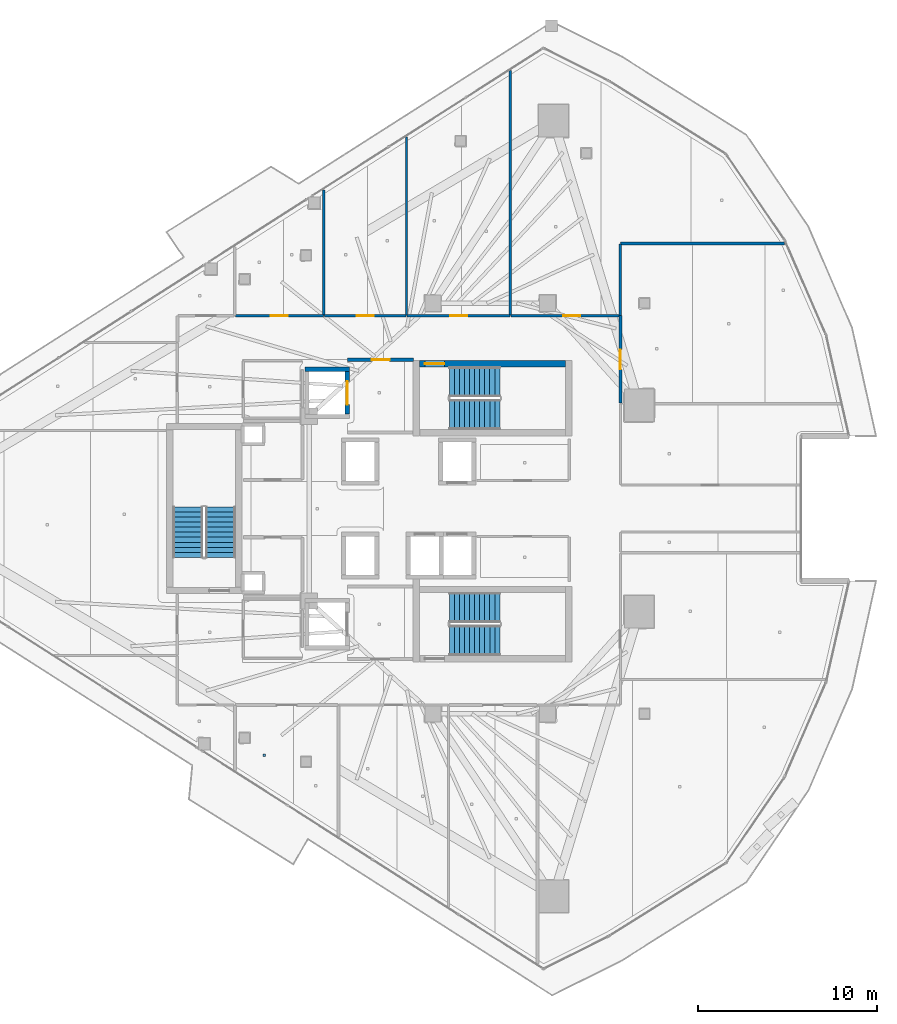
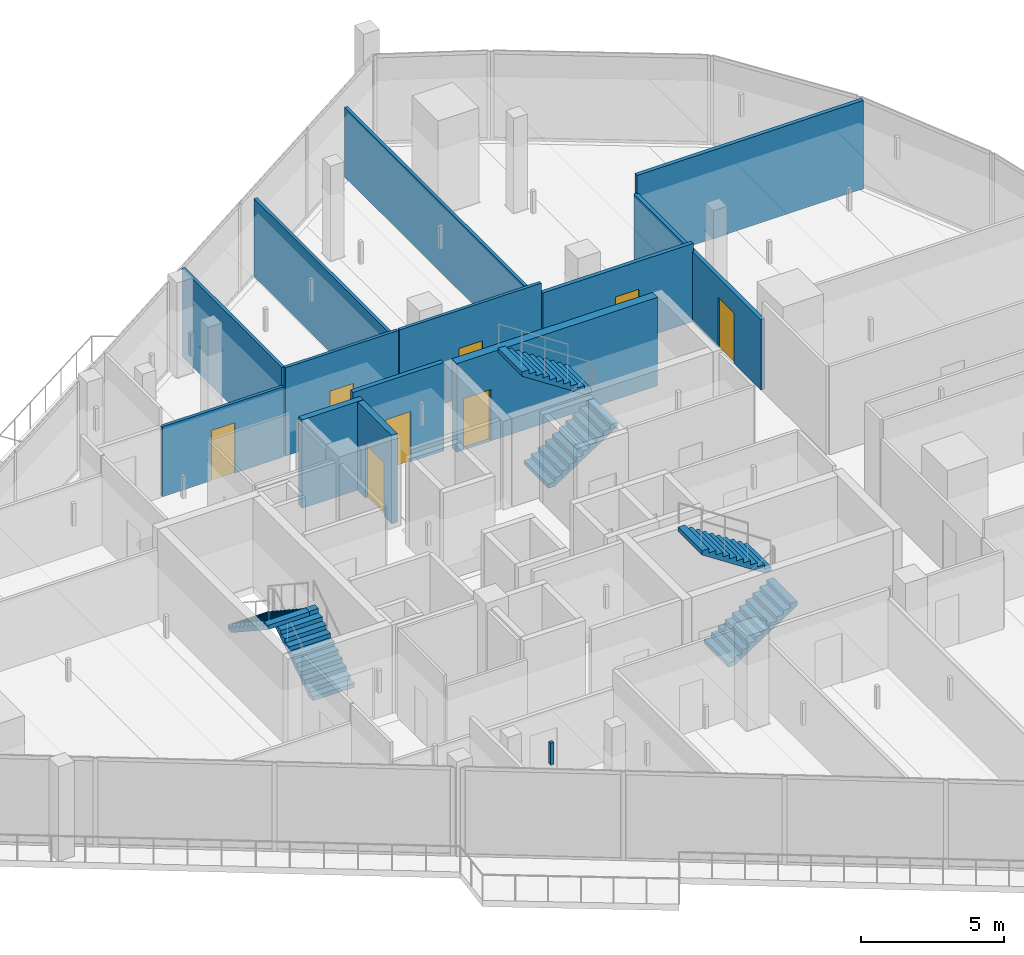
# One storey, part 26 of 36: 14 walls, 8 doors, 6 stair flights, 1 discrete accessory, 8 openings, 3 elements without a shape of their own.
"""IFC4 building model written with IfcOpenShell, lengths in metres."""

import ifcopenshell
import ifcopenshell.guid

model = None  # the IFC model being written
_history = None  # IfcOwnerHistory: only IFC2X3 demands one
_inside = {}  # id of a spatial element -> (the spatial element, [elements in it])
_under = {}  # id of a project, library or spatial element -> (it, [spatial elements below it])
_declared = {}  # id of a project -> (the project, [libraries it declares])
_typed = {}  # id of a type object -> (the type object, [elements of that type])
_made_of = {}  # id of a material, layer set ... -> (it, [elements and type objects made of it])


def new_model(schema):
    """Start an empty IFC model of exactly this schema.

    Asked for "IFC4X3", IfcOpenShell would pick the latest addendum, in which some entities
    have other attributes; the version numbers below select the first issue.
    IFC2X3 requires an IfcOwnerHistory on every rooted entity: one is made here for all.
    """
    global model, _history
    if schema == "IFC4X3":
        model = ifcopenshell.file(schema_version=(4, 3, 0, 0))
    else:
        model = ifcopenshell.file(schema=schema)
    _inside.clear()
    _under.clear()
    _declared.clear()
    _typed.clear()
    _made_of.clear()
    _history = None
    if model.schema == "IFC2X3":
        org = make("IfcOrganization", Name="unknown")
        user = make(
            "IfcPersonAndOrganization",
            ThePerson=make("IfcPerson", FamilyName="unknown"),
            TheOrganization=org,
        )
        app = make(
            "IfcApplication",
            ApplicationDeveloper=org,
            Version="unknown",
            ApplicationFullName="unknown",
            ApplicationIdentifier="unknown",
        )
        _history = make(
            "IfcOwnerHistory",
            OwningUser=user,
            OwningApplication=app,
            ChangeAction="ADDED",
            CreationDate=0,
        )
    return model


def make(cls, **values):
    """One entity of the class cls with the attributes given. An attribute that is None is left unset."""
    return model.create_entity(
        cls, **{name: value for name, value in values.items() if value is not None}
    )


def rooted(cls, **values):
    """An entity with a GlobalId (a new one), such as an element, a storey or a relation."""
    return make(cls, GlobalId=ifcopenshell.guid.new(), OwnerHistory=_history, **values)


def si_unit(unit_type, name, prefix=None):
    """IfcSIUnit, for example si_unit("LENGTHUNIT", "METRE", prefix="MILLI")."""
    return make("IfcSIUnit", UnitType=unit_type, Prefix=prefix, Name=name)


def assignment(units):
    """IfcUnitAssignment: the units of a project."""
    return None if units is None else make("IfcUnitAssignment", Units=units)


def point(xyz):
    """IfcCartesianPoint."""
    return None if xyz is None else make("IfcCartesianPoint", Coordinates=xyz)


def direction(xyz):
    """IfcDirection."""
    return None if xyz is None else make("IfcDirection", DirectionRatios=xyz)


def frame(location, z_axis=None, x_axis=None):
    """IfcAxis2Placement3D, a coordinate frame: its origin and axes. An axis left out is left unset."""
    return make(
        "IfcAxis2Placement3D",
        Location=point(location),
        Axis=direction(z_axis),
        RefDirection=direction(x_axis),
    )


def frame_2d(location, x_axis=None):
    """IfcAxis2Placement2D, a coordinate frame in the plane: its origin and x axis."""
    return make(
        "IfcAxis2Placement2D", Location=point(location), RefDirection=direction(x_axis)
    )


def origin():
    """The frame at (0, 0, 0) with its axes left unset."""
    return frame((0.0, 0.0, 0.0))


def origin_2d():
    """The frame at (0, 0) in the plane with its x axis left unset."""
    return frame_2d((0.0, 0.0))


def place(relative_to, where):
    """IfcLocalPlacement: puts the frame where relative to a parent placement (None: the world)."""
    return make(
        "IfcLocalPlacement", PlacementRelTo=relative_to, RelativePlacement=where
    )


def context(
    kind, dimensions, precision=None, world=None, true_north=None, identifier=None
):
    """IfcGeometricRepresentationContext, for example the 3D "Model" context."""
    return make(
        "IfcGeometricRepresentationContext",
        ContextIdentifier=identifier,
        ContextType=kind,
        CoordinateSpaceDimension=dimensions,
        Precision=precision,
        WorldCoordinateSystem=world,
        TrueNorth=true_north,
    )


def subcontext(parent, identifier, kind, view, scale=None):
    """IfcGeometricRepresentationSubContext, for example "Body" below "Model"."""
    return make(
        "IfcGeometricRepresentationSubContext",
        ContextIdentifier=identifier,
        ContextType=kind,
        ParentContext=parent,
        TargetScale=scale,
        TargetView=view,
    )


def project(units=None, contexts=None):
    """IfcProject with its units and contexts."""
    return rooted(
        "IfcProject",
        Name="project",
        RepresentationContexts=contexts,
        UnitsInContext=assignment(units),
    )


def spatial(cls, under=None, at=None, **own):
    """A site, building, storey or space (cls), placed at a placement, below another one or the project."""
    s = rooted(cls, ObjectPlacement=at, **own)
    if under is not None:
        _under.setdefault(under.id(), (under, []))[1].append(s)
    return s


def polyline(points):
    """IfcPolyline through the points."""
    return make("IfcPolyline", Points=[point(p) for p in points])


def profile(cls, at=None, kind="AREA", **sizes):
    """A parametric profile (cls). Its sizes go by their IFC names, for example OverallWidth=200.0."""
    return make(cls, ProfileType=kind, Position=at, **sizes)


def rectangle(**sizes):
    """IfcRectangleProfileDef."""
    return profile("IfcRectangleProfileDef", **sizes)


def outline(outer, holes=None, kind="AREA"):
    """IfcArbitraryClosedProfileDef: a profile drawn as a closed curve; with holes, ...WithVoids."""
    if holes is None:
        return make("IfcArbitraryClosedProfileDef", ProfileType=kind, OuterCurve=outer)
    return make(
        "IfcArbitraryProfileDefWithVoids",
        ProfileType=kind,
        OuterCurve=outer,
        InnerCurves=holes,
    )


def extrude(swept, where, along, depth):
    """IfcExtrudedAreaSolid: the profile swept, set in the frame where, extruded along a direction by depth."""
    return make(
        "IfcExtrudedAreaSolid",
        SweptArea=swept,
        Position=where,
        ExtrudedDirection=direction(along),
        Depth=depth,
    )


def shape(context_of_items, identifier, shape_type, items):
    """IfcShapeRepresentation: the items that make up one representation, for example the "Body"."""
    return make(
        "IfcShapeRepresentation",
        ContextOfItems=context_of_items,
        RepresentationIdentifier=identifier,
        RepresentationType=shape_type,
        Items=items,
    )


def material(Name=None, Category=None):
    """IfcMaterial."""
    return make("IfcMaterial", Name=Name, Category=Category)


def layer(
    of_material, thickness, ventilated=None, Name=None, Category=None, Priority=None
):
    """IfcMaterialLayer: one layer of a wall or slab, of a material (None: an air gap)."""
    return make(
        "IfcMaterialLayer",
        Material=of_material,
        LayerThickness=thickness,
        IsVentilated=ventilated,
        Name=Name,
        Category=Category,
        Priority=Priority,
    )


def layer_set(layers, Name=None):
    """IfcMaterialLayerSet."""
    return make("IfcMaterialLayerSet", MaterialLayers=layers, LayerSetName=Name)


def made_of(thing, what):
    """Note that an element or type object is made of a material, layer set ...; save() writes the relation."""
    if what is not None:
        _made_of.setdefault(what.id(), (what, []))[1].append(thing)
    return thing


def type_object(cls, material=None, **own):
    """A type object (cls), such as IfcWallType, which elements share."""
    return made_of(rooted(cls, **own), material)


def element(
    cls,
    number,
    at=None,
    inside=None,
    cuts=None,
    type_object=None,
    material=None,
    context=None,
    identifier="Body",
    shape_type=None,
    held_by="IfcProductDefinitionShape",
    body=None,
    shapes=None,
    **own,
):
    """One element of the class cls, such as IfcWall. Its Tag is "e" and its number.

    at: its placement. inside: the storey or other place that contains it. cuts: it is an
    opening in that element (IfcRelVoidsElement). A single representation is given by context,
    identifier, shape_type and body (its items); several are given by shapes. held_by: the class
    of the entity that holds the representations. save() writes the other relations.
    """
    e = rooted(cls, Tag="e%d" % number, ObjectPlacement=at, **own)
    if body is not None:
        shapes = [shape(context, identifier, shape_type, body)]
    if shapes is not None:
        e.Representation = make(held_by, Representations=shapes)
    if inside is not None:
        _inside.setdefault(inside.id(), (inside, []))[1].append(e)
    if cuts is not None:
        rooted(
            "IfcRelVoidsElement", RelatingBuildingElement=cuts, RelatedOpeningElement=e
        )
    if type_object is not None:
        _typed.setdefault(type_object.id(), (type_object, []))[1].append(e)
    return made_of(e, material)


def fill(opening, filler):
    """IfcRelFillsElement: the door or window that sits in an opening."""
    return rooted(
        "IfcRelFillsElement",
        RelatingOpeningElement=opening,
        RelatedBuildingElement=filler,
    )


def aggregate(whole, parts):
    """IfcRelAggregates: a whole, such as a stair, and the parts it consists of."""
    return rooted("IfcRelAggregates", RelatingObject=whole, RelatedObjects=parts)


def save(model, path):
    """Write the relations noted so far, then the file.

    IfcRelAggregates (storeys below a building ...), IfcRelContainedInSpatialStructure (elements
    in a storey), IfcRelDefinesByType, IfcRelAssociatesMaterial and IfcRelDeclares: one each for
    every whole, place, type object, material and project.
    """
    for whole, parts in _under.values():
        aggregate(whole, parts)
    for where, things in _inside.values():
        rooted(
            "IfcRelContainedInSpatialStructure",
            RelatedElements=things,
            RelatingStructure=where,
        )
    for kind, things in _typed.values():
        rooted("IfcRelDefinesByType", RelatedObjects=things, RelatingType=kind)
    for what, things in _made_of.values():
        rooted("IfcRelAssociatesMaterial", RelatedObjects=things, RelatingMaterial=what)
    for by, libraries in _declared.values():
        rooted("IfcRelDeclares", RelatingContext=by, RelatedDefinitions=libraries)
    model.write(path)


model = new_model("IFC4")

# Units and contexts
model_context = context("Model", 3, precision=1e-05, world=origin(), true_north=direction((0.0, 1.0)))
body_context = subcontext(model_context, "Body", "Model", "MODEL_VIEW")
ifc_project = project(units=[si_unit("LENGTHUNIT", "METRE"), si_unit("AREAUNIT", "SQUARE_METRE"), si_unit("VOLUMEUNIT", "CUBIC_METRE"), si_unit("PLANEANGLEUNIT", "RADIAN"), si_unit("MASSUNIT", "GRAM", prefix="KILO")], contexts=[model_context])

# Site, building, storey
site_placement = place(None, origin())
site = spatial("IfcSite", under=ifc_project, at=site_placement, CompositionType="ELEMENT")
building_placement = place(site_placement, origin())
building = spatial("IfcBuilding", under=site, at=building_placement, Name="Qorvath Tower", CompositionType="ELEMENT")
storey_placement = place(building_placement, frame((0.0, 0.0, 241.5)))
storey = spatial("IfcBuildingStorey", under=building, at=storey_placement, Name="L56", CompositionType="ELEMENT", Elevation=241.5)

# Wall, opening, door
ifc_material_1 = material(Name="Gypsum shaftliner on steel studs", Category="steel")
ifc_layer_1 = layer(ifc_material_1, 0.179931640625)
ifc_layer_set_1 = layer_set([ifc_layer_1], Name="FW-LOBBY")
wall_type_1 = type_object("IfcWallType", Name="FW-LOBBY", PredefinedType="PARTITIONING", material=ifc_layer_set_1)
wall_1_placement = place(storey_placement, frame((-24.68408203125, 8.300048828125, 0.0), z_axis=(0.0, 0.0, 1.0), x_axis=(-1.0, 0.0, 0.0)))
wall_1 = element("IfcWall", 1, at=wall_1_placement, inside=storey, type_object=wall_type_1, Name="Interior Partition IW-T1-L56-002", PredefinedType="PARTITIONING", context=body_context, shape_type="SweptSolid", body=[
    extrude(rectangle(XDim=3.6708984375, YDim=0.179931640625, at=frame_2d((1.83544921875, 0.0))), origin(), (0.0, 0.0, 1.0), 3.780029296875),
])
opening_1_placement = place(wall_1_placement, frame((1.33544921875, 0.0, 0.0)))
opening_1 = element("IfcOpeningElement", 2, at=opening_1_placement, cuts=wall_1, Name="Opening D-T1-L56-22", PredefinedType="OPENING", context=body_context, shape_type="SweptSolid", body=[
    extrude(rectangle(XDim=1.0, YDim=2.14990234375, at=frame_2d((0.5, 1.074951171875))), frame((0.0, 0.10009765625, 0.0), z_axis=(0.0, -1.0, 0.0), x_axis=(1.0, 0.0, 0.0)), (0.0, 0.0, 1.0), 0.199951171875),
])
ifc_material_2 = material(Name="Painted galvanised hollow metal", Category="steel")
door_type_1 = type_object("IfcDoorType", Name="FD-60", OperationType="NOTDEFINED", PredefinedType="DOOR", material=ifc_material_2)
door_1_placement = place(opening_1_placement, origin())
door_1 = element("IfcDoor", 3, at=door_1_placement, inside=storey, type_object=door_type_1, Name="Lobby Fire Service Elevator North Door D-T1-L56-22", OperationType="SINGLE_SWING_RIGHT", OverallHeight=2.14990234375, OverallWidth=1.0, PredefinedType="DOOR", context=body_context, shape_type="SweptSolid", body=[
    extrude(rectangle(XDim=1.0, YDim=2.14990234375, at=frame_2d((0.5, 1.074951171875))), frame((0.0, 0.02490234375, 0.0), z_axis=(0.0, -1.0, 0.0), x_axis=(1.0, 0.0, 0.0)), (0.0, 0.0, 1.0), 0.050048828125),
])
fill(opening_1, door_1)

ifc_material_3 = material(Name="Double acoustic gypsum board on steel studs", Category="steel")
ifc_layer_2 = layer(ifc_material_3, 0.159912109375)
ifc_layer_set_2 = layer_set([ifc_layer_2], Name="IW-ACOUSTIC-160")
wall_type_2 = type_object("IfcWallType", Name="IW-ACOUSTIC-160", PredefinedType="PARTITIONING", material=ifc_layer_set_2)
wall_2_placement = place(storey_placement, frame((-19.24658203125, 10.758056640625, 0.0), z_axis=(0.0, 0.0, 1.0), x_axis=(1.0, 0.0, 0.0)))
wall_2 = element("IfcWall", 4, at=wall_2_placement, inside=storey, type_object=wall_type_2, Name="Interior Partition IW-T1-L56-030", PredefinedType="PARTITIONING", context=body_context, shape_type="SweptSolid", body=[
    extrude(rectangle(XDim=6.07177734375, YDim=0.159912109375, at=frame_2d((3.035888671875, 0.0))), origin(), (0.0, 0.0, 1.0), 3.34375),
])
opening_2_placement = place(wall_2_placement, frame((2.9267578125, 0.0, 0.0)))
opening_2 = element("IfcOpeningElement", 5, at=opening_2_placement, cuts=wall_2, Name="Opening D-T1-L56-10", PredefinedType="OPENING", context=body_context, shape_type="SweptSolid", body=[
    extrude(rectangle(XDim=0.949951171875, YDim=2.14990234375, at=frame_2d((0.47509765625, 1.074951171875))), frame((0.0, 0.08984375, 0.0), z_axis=(0.0, -1.0, 0.0), x_axis=(1.0, 0.0, 0.0)), (0.0, 0.0, 1.0), 0.179931640625),
])
ifc_material_4 = material(Name="Solid-core American white oak veneer", Category="wood")
door_type_2 = type_object("IfcDoorType", Name="D-01", OperationType="NOTDEFINED", PredefinedType="DOOR", material=ifc_material_4)
door_2_placement = place(opening_2_placement, origin())
door_2 = element("IfcDoor", 6, at=door_2_placement, inside=storey, type_object=door_type_2, Name="L56-04 Breakout Reading Alcove Door D-T1-L56-10", OperationType="SINGLE_SWING_RIGHT", OverallHeight=2.14990234375, OverallWidth=0.949951171875, PredefinedType="DOOR", context=body_context, shape_type="SweptSolid", body=[
    extrude(rectangle(XDim=0.949951171875, YDim=2.14990234375, at=frame_2d((0.47509765625, 1.074951171875))), frame((0.0, 0.02490234375, 0.0), z_axis=(0.0, -1.0, 0.0), x_axis=(1.0, 0.0, 0.0)), (0.0, 0.0, 1.0), 0.050048828125),
])
fill(opening_2, door_2)

# Walls
wall_3_placement = place(storey_placement, frame((-13.14990234375, 10.783203125, 0.0), z_axis=(0.0, 0.0, 1.0), x_axis=(0.0, 1.0, 0.0)))
element("IfcWall", 7, at=wall_3_placement, inside=storey, type_object=wall_type_2, Name="Interior Partition IW-T1-L56-031", PredefinedType="PARTITIONING", context=body_context, shape_type="SweptSolid", body=[
    extrude(rectangle(XDim=3.973388671875, YDim=0.159912109375, at=frame_2d((1.98681640625, 0.0))), origin(), (0.0, 0.0, 1.0), 3.0),
])
wall_4_placement = place(storey_placement, frame((-13.125, 14.781494140625, 0.0), z_axis=(0.0, 0.0, 1.0), x_axis=(0.999999000233, 0.001414048372, 0.0)))
element("IfcWall", 8, at=wall_4_placement, inside=storey, type_object=wall_type_2, Name="Interior Partition IW-T1-L56-032", PredefinedType="PARTITIONING", context=body_context, shape_type="SweptSolid", body=[
    extrude(rectangle(XDim=9.150634765625, YDim=0.159912109375, at=frame_2d((4.5751953125, 0.0))), origin(), (0.0, 0.0, 1.0), 3.780029296875),
])

# Wall, opening, door
wall_5_placement = place(storey_placement, frame((-13.14208984375, 10.75830078125, 0.0), z_axis=(0.0, 0.0, 1.0), x_axis=(0.0, -1.0, 0.0)))
wall_5 = element("IfcWall", 9, at=wall_5_placement, inside=storey, type_object=wall_type_2, Name="Interior Partition IW-T1-L56-050", PredefinedType="PARTITIONING", context=body_context, shape_type="SweptSolid", body=[
    extrude(rectangle(XDim=4.881103515625, YDim=0.159912109375, at=frame_2d((2.4404296875, 0.0))), origin(), (0.0, 0.0, 1.0), 3.0),
])
opening_3_placement = place(wall_5_placement, frame((1.890625, 0.0, 0.0)))
opening_3 = element("IfcOpeningElement", 10, at=opening_3_placement, cuts=wall_5, Name="Opening D-T1-L56-17", PredefinedType="OPENING", context=body_context, shape_type="SweptSolid", body=[
    extrude(rectangle(XDim=1.10009765625, YDim=2.14990234375, at=frame_2d((0.550048828125, 1.074951171875))), frame((0.0, 0.08984375, 0.0), z_axis=(0.0, -1.0, 0.0), x_axis=(1.0, 0.0, 0.0)), (0.0, 0.0, 1.0), 0.179931640625),
])
ifc_material_5 = material(Name="Anodised aluminium acoustic framed glass", Category="aluminium")
door_type_3 = type_object("IfcDoorType", Name="D-03", OperationType="NOTDEFINED", PredefinedType="DOOR", material=ifc_material_5)
door_3_placement = place(opening_3_placement, origin())
door_3 = element("IfcDoor", 11, at=door_3_placement, inside=storey, type_object=door_type_3, Name="L56-11 Client Services Office Door D-T1-L56-17", OperationType="SINGLE_SWING_LEFT", OverallHeight=2.14990234375, OverallWidth=1.10009765625, PredefinedType="DOOR", context=body_context, shape_type="SweptSolid", body=[
    extrude(rectangle(XDim=1.10009765625, YDim=2.14990234375, at=frame_2d((0.550048828125, 1.074951171875))), frame((0.0, 0.02490234375, 0.0), z_axis=(0.0, -1.0, 0.0), x_axis=(1.0, 0.0, 0.0)), (0.0, 0.0, 1.0), 0.050048828125),
])
fill(opening_3, door_3)

ifc_material_6 = material(Name="Gypsum board on metal studs with mineral wool", Category="gypsum")
ifc_layer_3 = layer(ifc_material_6, 0.125)
ifc_layer_set_3 = layer_set([ifc_layer_3], Name="IW-PART-125")
wall_type_3 = type_object("IfcWallType", Name="IW-PART-125", PredefinedType="PARTITIONING", material=ifc_layer_set_3)
wall_6_placement = place(storey_placement, frame((-34.625, 10.758056640625, 0.0), z_axis=(0.0, 0.0, 1.0), x_axis=(1.0, 0.0, 0.0)))
wall_6 = element("IfcWall", 12, at=wall_6_placement, inside=storey, type_object=wall_type_3, Name="Interior Partition IW-T1-L56-024", PredefinedType="PARTITIONING", context=body_context, shape_type="SweptSolid", body=[
    extrude(rectangle(XDim=4.91259765625, YDim=0.125, at=frame_2d((2.456298828125, 0.0))), origin(), (0.0, 0.0, 1.0), 3.0),
])
opening_4_placement = place(wall_6_placement, frame((1.981201171875, 0.0, 0.0)))
opening_4 = element("IfcOpeningElement", 13, at=opening_4_placement, cuts=wall_6, Name="Opening D-T1-L56-07", PredefinedType="OPENING", context=body_context, shape_type="SweptSolid", body=[
    extrude(rectangle(XDim=0.949951171875, YDim=2.14990234375, at=frame_2d((0.47509765625, 1.074951171875))), frame((0.0, 0.072509765625, 0.0), z_axis=(0.0, -1.0, 0.0), x_axis=(1.0, 0.0, 0.0)), (0.0, 0.0, 1.0), 0.14501953125),
])
door_4_placement = place(opening_4_placement, origin())
door_4 = element("IfcDoor", 14, at=door_4_placement, inside=storey, type_object=door_type_2, Name="L56-01 Staff Wellness Studio Door D-T1-L56-07", OperationType="SINGLE_SWING_LEFT", OverallHeight=2.14990234375, OverallWidth=0.949951171875, PredefinedType="DOOR", context=body_context, shape_type="SweptSolid", body=[
    extrude(rectangle(XDim=0.949951171875, YDim=2.14990234375, at=frame_2d((0.47509765625, 1.074951171875))), frame((0.0, 0.02490234375, 0.0), z_axis=(0.0, -1.0, 0.0), x_axis=(1.0, 0.0, 0.0)), (0.0, 0.0, 1.0), 0.050048828125),
])
fill(opening_4, door_4)

# Wall
wall_7_placement = place(storey_placement, frame((-29.687255859375, 10.783203125, 0.0), z_axis=(0.0, 0.0, 1.0), x_axis=(0.0, 1.0, 0.0)))
element("IfcWall", 15, at=wall_7_placement, inside=storey, type_object=wall_type_3, Name="Interior Partition IW-T1-L56-025", PredefinedType="PARTITIONING", context=body_context, shape_type="SweptSolid", body=[
    extrude(rectangle(XDim=6.9921875, YDim=0.125, at=frame_2d((3.49609375, 0.0))), origin(), (0.0, 0.0, 1.0), 3.780029296875),
])

# Wall, opening, door
wall_8_placement = place(storey_placement, frame((-29.654296875, 10.758056640625, 0.0), z_axis=(0.0, 0.0, 1.0), x_axis=(1.0, 0.0, 0.0)))
wall_8 = element("IfcWall", 16, at=wall_8_placement, inside=storey, type_object=wall_type_3, Name="Interior Partition IW-T1-L56-026", PredefinedType="PARTITIONING", context=body_context, shape_type="SweptSolid", body=[
    extrude(rectangle(XDim=4.562255859375, YDim=0.125, at=frame_2d((2.28125, 0.0))), origin(), (0.0, 0.0, 1.0), 3.780029296875),
])
opening_5_placement = place(wall_8_placement, frame((1.80615234375, 0.0, 0.0)))
opening_5 = element("IfcOpeningElement", 17, at=opening_5_placement, cuts=wall_8, Name="Opening D-T1-L56-08", PredefinedType="OPENING", context=body_context, shape_type="SweptSolid", body=[
    extrude(rectangle(XDim=0.949951171875, YDim=2.14990234375, at=frame_2d((0.47509765625, 1.074951171875))), frame((0.0, 0.072509765625, 0.0), z_axis=(0.0, -1.0, 0.0), x_axis=(1.0, 0.0, 0.0)), (0.0, 0.0, 1.0), 0.14501953125),
])
door_5_placement = place(opening_5_placement, origin())
door_5 = element("IfcDoor", 18, at=door_5_placement, inside=storey, type_object=door_type_2, Name="L56-02 Design Pin-Up Atelier Door D-T1-L56-08", OperationType="SINGLE_SWING_RIGHT", OverallHeight=2.14990234375, OverallWidth=0.949951171875, PredefinedType="DOOR", context=body_context, shape_type="SweptSolid", body=[
    extrude(rectangle(XDim=0.949951171875, YDim=2.14990234375, at=frame_2d((0.47509765625, 1.074951171875))), frame((0.0, 0.02490234375, 0.0), z_axis=(0.0, -1.0, 0.0), x_axis=(1.0, 0.0, 0.0)), (0.0, 0.0, 1.0), 0.050048828125),
])
fill(opening_5, door_5)

# Wall
wall_9_placement = place(storey_placement, frame((-25.067138671875, 10.783203125, 0.0), z_axis=(0.0, 0.0, 1.0), x_axis=(0.0, 1.0, 0.0)))
element("IfcWall", 19, at=wall_9_placement, inside=storey, type_object=wall_type_3, Name="Interior Partition IW-T1-L56-027", PredefinedType="PARTITIONING", context=body_context, shape_type="SweptSolid", body=[
    extrude(rectangle(XDim=9.945068359375, YDim=0.125, at=frame_2d((4.97265625, 0.0))), origin(), (0.0, 0.0, 1.0), 3.34375),
])

# Wall, opening, door
wall_10_placement = place(storey_placement, frame((-25.0341796875, 10.758056640625, 0.0), z_axis=(0.0, 0.0, 1.0), x_axis=(1.0, 0.0, 0.0)))
wall_10 = element("IfcWall", 20, at=wall_10_placement, inside=storey, type_object=wall_type_3, Name="Interior Partition IW-T1-L56-028", PredefinedType="PARTITIONING", context=body_context, shape_type="SweptSolid", body=[
    extrude(rectangle(XDim=5.7294921875, YDim=0.125, at=frame_2d((2.86474609375, 0.0))), origin(), (0.0, 0.0, 1.0), 3.780029296875),
])
opening_6_placement = place(wall_10_placement, frame((2.3896484375, 0.0, 0.0)))
opening_6 = element("IfcOpeningElement", 21, at=opening_6_placement, cuts=wall_10, Name="Opening D-T1-L56-09", PredefinedType="OPENING", context=body_context, shape_type="SweptSolid", body=[
    extrude(rectangle(XDim=0.949951171875, YDim=2.14990234375, at=frame_2d((0.47509765625, 1.074951171875))), frame((0.0, 0.072509765625, 0.0), z_axis=(0.0, -1.0, 0.0), x_axis=(1.0, 0.0, 0.0)), (0.0, 0.0, 1.0), 0.14501953125),
])
door_6_placement = place(opening_6_placement, origin())
door_6 = element("IfcDoor", 22, at=door_6_placement, inside=storey, type_object=door_type_2, Name="L56-03 Executive Partner Office Door D-T1-L56-09", OperationType="SINGLE_SWING_LEFT", OverallHeight=2.14990234375, OverallWidth=0.949951171875, PredefinedType="DOOR", context=body_context, shape_type="SweptSolid", body=[
    extrude(rectangle(XDim=0.949951171875, YDim=2.14990234375, at=frame_2d((0.47509765625, 1.074951171875))), frame((0.0, 0.02490234375, 0.0), z_axis=(0.0, -1.0, 0.0), x_axis=(1.0, 0.0, 0.0)), (0.0, 0.0, 1.0), 0.050048828125),
])
fill(opening_6, door_6)

# Walls
wall_11_placement = place(storey_placement, frame((-19.27978515625, 10.783203125, 0.0), z_axis=(0.0, 0.0, 1.0), x_axis=(0.0, 1.0, 0.0)))
element("IfcWall", 23, at=wall_11_placement, inside=storey, type_object=wall_type_3, Name="Interior Partition IW-T1-L56-029", PredefinedType="PARTITIONING", context=body_context, shape_type="SweptSolid", body=[
    extrude(rectangle(XDim=13.643798828125, YDim=0.125, at=frame_2d((6.82177734375, 0.0))), origin(), (0.0, 0.0, 1.0), 2.97705078125),
])
ifc_material_7 = material(Name="Concrete C60/75", Category="concrete")
ifc_layer_4 = layer(ifc_material_7, 0.260009765625)
ifc_layer_set_4 = layer_set([ifc_layer_4], Name="SW-SHAFT")
wall_type_4 = type_object("IfcWallType", Name="SW-SHAFT", PredefinedType="SHEAR", material=ifc_layer_set_4)
wall_12_placement = place(storey_placement, frame((-30.739990234375, 7.77001953125, 0.0), z_axis=(0.0, 0.0, 1.0), x_axis=(1.0, 0.0, 0.0)))
element("IfcWall", 24, at=wall_12_placement, inside=storey, type_object=wall_type_4, Name="Hoistway Wall FSAE-1 L56 N", PredefinedType="SHEAR", context=body_context, shape_type="SweptSolid", body=[
    extrude(rectangle(XDim=2.47998046875, YDim=0.239990234375, at=frame_2d((1.239990234375, 0.0))), origin(), (0.0, 0.0, 1.0), 3.780029296875),
])

# Wall, opening, door
wall_13_placement = place(storey_placement, frame((-28.3798828125, 7.637939453125, 0.0), z_axis=(0.0, 0.0, 1.0), x_axis=(0.0, -1.0, 0.0)))
wall_13 = element("IfcWall", 25, at=wall_13_placement, inside=storey, type_object=wall_type_4, Name="Hoistway Wall FSAE-1 L56 E", PredefinedType="SHEAR", context=body_context, shape_type="SweptSolid", body=[
    extrude(rectangle(XDim=2.3759765625, YDim=0.239990234375, at=frame_2d((1.18798828125, 0.0))), origin(), (0.0, 0.0, 1.0), 3.780029296875),
])
opening_7_placement = place(wall_13_placement, frame((0.537841796875, 0.0, 0.0)))
opening_7 = element("IfcOpeningElement", 26, at=opening_7_placement, cuts=wall_13, Name="Opening LD-FSAE-1-L56", PredefinedType="OPENING", context=body_context, shape_type="SweptSolid", body=[
    extrude(rectangle(XDim=1.300048828125, YDim=2.300048828125, at=frame_2d((0.64990234375, 1.14990234375))), frame((0.0, 0.1298828125, 0.0), z_axis=(0.0, -1.0, 0.0), x_axis=(1.0, 0.0, 0.0)), (0.0, 0.0, 1.0), 0.260009765625),
])
ifc_material_8 = material(Name="Brushed stainless steel AISI 316", Category="steel")
door_type_4 = type_object("IfcDoorType", Name="LD-02", OperationType="NOTDEFINED", PredefinedType="DOOR", material=ifc_material_8)
door_7_placement = place(opening_7_placement, origin())
door_7 = element("IfcDoor", 27, at=door_7_placement, inside=storey, type_object=door_type_4, Name="Elevator Landing Sliding Door LD-FSAE-1-L56", OperationType="DOUBLE_DOOR_SLIDING", OverallHeight=2.300048828125, OverallWidth=1.300048828125, PredefinedType="DOOR", context=body_context, shape_type="SweptSolid", body=[
    extrude(rectangle(XDim=1.300048828125, YDim=2.300048828125, at=frame_2d((0.64990234375, 1.14990234375))), frame((0.0, 0.02490234375, 0.0), z_axis=(0.0, -1.0, 0.0), x_axis=(1.0, 0.0, 0.0)), (0.0, 0.0, 1.0), 0.050048828125),
])
fill(opening_7, door_7)

ifc_material_9 = material(Name="Concrete C60/75", Category="concrete")
ifc_layer_5 = layer(ifc_material_9, 0.35009765625)
ifc_layer_set_5 = layer_set([ifc_layer_5], Name="SW-STAIR")
wall_type_5 = type_object("IfcWallType", Name="SW-STAIR", PredefinedType="SHEAR", material=ifc_layer_set_5)
wall_14_placement = place(storey_placement, frame((-16.215087890625, 8.0849609375, 0.0), z_axis=(0.0, 0.0, 1.0), x_axis=(-1.0, 0.0, 0.0)))
wall_14 = element("IfcWall", 28, at=wall_14_placement, inside=storey, type_object=wall_type_5, Name="Stair TS1 Shear Wall L56 RIGHT", PredefinedType="SHEAR", context=body_context, shape_type="SweptSolid", body=[
    extrude(rectangle(XDim=8.119873046875, YDim=0.35009765625, at=frame_2d((4.06005859375, 0.0))), origin(), (0.0, 0.0, 1.0), 3.780029296875),
])
opening_8_placement = place(wall_14_placement, frame((6.739990234375, 0.0, 0.0)))
opening_8 = element("IfcOpeningElement", 29, at=opening_8_placement, cuts=wall_14, Name="Opening D-TS1-L56", PredefinedType="OPENING", context=body_context, shape_type="SweptSolid", body=[
    extrude(rectangle(XDim=1.10009765625, YDim=2.199951171875, at=frame_2d((0.550048828125, 1.10009765625))), frame((0.0, 0.18505859375, 0.0), z_axis=(0.0, -1.0, 0.0), x_axis=(1.0, 0.0, 0.0)), (0.0, 0.0, 1.0), 0.3701171875),
])
ifc_material_10 = material(Name="Painted galvanised hollow metal", Category="steel")
door_type_5 = type_object("IfcDoorType", Name="FD-90", OperationType="NOTDEFINED", PredefinedType="DOOR", material=ifc_material_10)
door_8_placement = place(opening_8_placement, origin())
door_8 = element("IfcDoor", 30, at=door_8_placement, inside=storey, type_object=door_type_5, Name="Stair TS1 Fire Door L56", OperationType="SINGLE_SWING_LEFT", OverallHeight=2.199951171875, OverallWidth=1.10009765625, PredefinedType="DOOR", context=body_context, shape_type="SweptSolid", body=[
    extrude(rectangle(XDim=1.10009765625, YDim=2.199951171875, at=frame_2d((0.550048828125, 1.10009765625))), frame((0.0, 0.02490234375, 0.0), z_axis=(0.0, -1.0, 0.0), x_axis=(1.0, 0.0, 0.0)), (0.0, 0.0, 1.0), 0.050048828125),
])
fill(opening_8, door_8)

# Stair, stair flights
ifc_material_11 = material(Name="Concrete C50/60", Category="concrete")
stair_type = type_object("IfcStairType", Name="ST-H405", PredefinedType="HALF_TURN_STAIR", material=ifc_material_11)
stair_1_placement = place(storey_placement, origin())
stair_1 = element("IfcStair", 31, at=stair_1_placement, inside=storey, type_object=stair_type, Name="L56 Tower Exit Stair 1", PredefinedType="HALF_TURN_STAIR")
ifc_material_12 = material(Name="Concrete C50/60", Category="concrete")
ifc_layer_6 = layer(ifc_material_12, 0.14990234375)
ifc_layer_set_6 = layer_set([ifc_layer_6], Name="SF-H405")
stair_flight_type = type_object("IfcStairFlightType", Name="SF-H405", PredefinedType="STRAIGHT", material=ifc_layer_set_6)
stair_flight_1_placement = place(storey_placement, frame((-22.669921875, 5.239990234375, 0.0), z_axis=(0.0, 0.0, 1.0), x_axis=(1.0, 0.0, 0.0)))
stair_flight_1 = element("IfcStairFlight", 32, at=stair_flight_1_placement, type_object=stair_flight_type, Name="TS1 flight 1", NumberOfRisers=11, NumberOfTreads=10, PredefinedType="STRAIGHT", RiserHeight=0.184090909, TreadLength=0.28, context=body_context, shape_type="SweptSolid", body=[
    extrude(outline(polyline([(0.0, 0.0), (0.0, 0.18408203125), (0.280029296875, 0.18408203125), (0.280029296875, 0.3681640625), (0.56005859375, 0.3681640625), (0.56005859375, 0.55224609375), (0.840087890625, 0.55224609375), (0.840087890625, 0.736328125), (1.1201171875, 0.736328125), (1.1201171875, 0.92041015625), (1.39990234375, 0.92041015625), (1.39990234375, 1.1044921875), (1.679931640625, 1.1044921875), (1.679931640625, 1.28857421875), (1.9599609375, 1.28857421875), (1.9599609375, 1.47265625), (2.239990234375, 1.47265625), (2.239990234375, 1.65673828125), (2.52001953125, 1.65673828125), (2.52001953125, 1.8408203125), (2.800048828125, 1.8408203125), (2.800048828125, 2.02490234375), (2.800048828125, 1.66162109375), (0.27294921875, 0.0), (0.0, 0.0)])), frame((0.0, 0.83984375, 0.0), z_axis=(0.0, -1.0, 0.0), x_axis=(1.0, 0.0, 0.0)), (0.0, 0.0, 1.0), 1.679931640625),
])
stair_flight_2_placement = place(storey_placement, frame((-19.8701171875, 7.070068359375, 2.02490234375), z_axis=(0.0, 0.0, 1.0), x_axis=(-1.0, 0.0, 0.0)))
stair_flight_2 = element("IfcStairFlight", 33, at=stair_flight_2_placement, type_object=stair_flight_type, Name="TS1 flight 2", NumberOfRisers=11, NumberOfTreads=10, PredefinedType="STRAIGHT", RiserHeight=0.184090909, TreadLength=0.28, context=body_context, shape_type="SweptSolid", body=[
    extrude(outline(polyline([(0.0, 0.0), (0.0, 0.18408203125), (0.280029296875, 0.18408203125), (0.280029296875, 0.3681640625), (0.56005859375, 0.3681640625), (0.56005859375, 0.55224609375), (0.840087890625, 0.55224609375), (0.840087890625, 0.736328125), (1.1201171875, 0.736328125), (1.1201171875, 0.92041015625), (1.39990234375, 0.92041015625), (1.39990234375, 1.1044921875), (1.679931640625, 1.1044921875), (1.679931640625, 1.28857421875), (1.9599609375, 1.28857421875), (1.9599609375, 1.47265625), (2.239990234375, 1.47265625), (2.239990234375, 1.65673828125), (2.52001953125, 1.65673828125), (2.52001953125, 1.8408203125), (2.800048828125, 1.8408203125), (2.800048828125, 2.02490234375), (2.800048828125, 1.66162109375), (0.27294921875, 0.0), (0.0, 0.0)])), frame((0.0, 0.83984375, 0.0), z_axis=(0.0, -1.0, 0.0), x_axis=(1.0, 0.0, 0.0)), (0.0, 0.0, 1.0), 1.679931640625),
])
aggregate(stair_1, [stair_flight_1, stair_flight_2])

stair_2_placement = place(storey_placement, origin())
stair_2 = element("IfcStair", 34, at=stair_2_placement, inside=storey, type_object=stair_type, Name="L56 Tower Exit Stair 2", PredefinedType="HALF_TURN_STAIR")
stair_flight_3_placement = place(storey_placement, frame((-22.669921875, -7.360107421875, 0.0), z_axis=(0.0, 0.0, 1.0), x_axis=(1.0, 0.0, 0.0)))
stair_flight_3 = element("IfcStairFlight", 35, at=stair_flight_3_placement, type_object=stair_flight_type, Name="TS2 flight 1", NumberOfRisers=11, NumberOfTreads=10, PredefinedType="STRAIGHT", RiserHeight=0.184090909, TreadLength=0.28, context=body_context, shape_type="SweptSolid", body=[
    extrude(outline(polyline([(0.0, 0.0), (0.0, 0.18408203125), (0.280029296875, 0.18408203125), (0.280029296875, 0.3681640625), (0.56005859375, 0.3681640625), (0.56005859375, 0.55224609375), (0.840087890625, 0.55224609375), (0.840087890625, 0.736328125), (1.1201171875, 0.736328125), (1.1201171875, 0.92041015625), (1.39990234375, 0.92041015625), (1.39990234375, 1.1044921875), (1.679931640625, 1.1044921875), (1.679931640625, 1.28857421875), (1.9599609375, 1.28857421875), (1.9599609375, 1.47265625), (2.239990234375, 1.47265625), (2.239990234375, 1.65673828125), (2.52001953125, 1.65673828125), (2.52001953125, 1.8408203125), (2.800048828125, 1.8408203125), (2.800048828125, 2.02490234375), (2.800048828125, 1.66162109375), (0.27294921875, 0.0), (0.0, 0.0)])), frame((0.0, 0.83984375, 0.0), z_axis=(0.0, -1.0, 0.0), x_axis=(1.0, 0.0, 0.0)), (0.0, 0.0, 1.0), 1.679931640625),
])
stair_flight_4_placement = place(storey_placement, frame((-19.8701171875, -5.530029296875, 2.02490234375), z_axis=(0.0, 0.0, 1.0), x_axis=(-1.0, 0.0, 0.0)))
stair_flight_4 = element("IfcStairFlight", 36, at=stair_flight_4_placement, type_object=stair_flight_type, Name="TS2 flight 2", NumberOfRisers=11, NumberOfTreads=10, PredefinedType="STRAIGHT", RiserHeight=0.184090909, TreadLength=0.28, context=body_context, shape_type="SweptSolid", body=[
    extrude(outline(polyline([(0.0, 0.0), (0.0, 0.18408203125), (0.280029296875, 0.18408203125), (0.280029296875, 0.3681640625), (0.56005859375, 0.3681640625), (0.56005859375, 0.55224609375), (0.840087890625, 0.55224609375), (0.840087890625, 0.736328125), (1.1201171875, 0.736328125), (1.1201171875, 0.92041015625), (1.39990234375, 0.92041015625), (1.39990234375, 1.1044921875), (1.679931640625, 1.1044921875), (1.679931640625, 1.28857421875), (1.9599609375, 1.28857421875), (1.9599609375, 1.47265625), (2.239990234375, 1.47265625), (2.239990234375, 1.65673828125), (2.52001953125, 1.65673828125), (2.52001953125, 1.8408203125), (2.800048828125, 1.8408203125), (2.800048828125, 2.02490234375), (2.800048828125, 1.66162109375), (0.27294921875, 0.0), (0.0, 0.0)])), frame((0.0, 0.83984375, 0.0), z_axis=(0.0, -1.0, 0.0), x_axis=(1.0, 0.0, 0.0)), (0.0, 0.0, 1.0), 1.679931640625),
])
aggregate(stair_2, [stair_flight_3, stair_flight_4])

stair_3_placement = place(storey_placement, origin())
stair_3 = element("IfcStair", 37, at=stair_3_placement, inside=storey, type_object=stair_type, Name="L56 Tower Exit Stair 3", PredefinedType="HALF_TURN_STAIR")
stair_flight_5_placement = place(storey_placement, frame((-35.43994140625, -2.719970703125, 0.0), z_axis=(0.0, 0.0, 1.0), x_axis=(0.0, 1.0, 0.0)))
stair_flight_5 = element("IfcStairFlight", 38, at=stair_flight_5_placement, type_object=stair_flight_type, Name="TS3 flight 1", NumberOfRisers=11, NumberOfTreads=10, PredefinedType="STRAIGHT", RiserHeight=0.184090909, TreadLength=0.28, context=body_context, shape_type="SweptSolid", body=[
    extrude(outline(polyline([(0.0, 0.0), (0.0, 0.18408203125), (0.280029296875, 0.18408203125), (0.280029296875, 0.3681640625), (0.56005859375, 0.3681640625), (0.56005859375, 0.55224609375), (0.840087890625, 0.55224609375), (0.840087890625, 0.736328125), (1.1201171875, 0.736328125), (1.1201171875, 0.92041015625), (1.39990234375, 0.92041015625), (1.39990234375, 1.1044921875), (1.679931640625, 1.1044921875), (1.679931640625, 1.28857421875), (1.9599609375, 1.28857421875), (1.9599609375, 1.47265625), (2.239990234375, 1.47265625), (2.239990234375, 1.65673828125), (2.52001953125, 1.65673828125), (2.52001953125, 1.8408203125), (2.800048828125, 1.8408203125), (2.800048828125, 2.02490234375), (2.800048828125, 1.66162109375), (0.27294921875, 0.0), (0.0, 0.0)])), frame((0.0, 0.83984375, 0.0), z_axis=(0.0, -1.0, 0.0), x_axis=(1.0, 0.0, 0.0)), (0.0, 0.0, 1.0), 1.679931640625),
])
stair_flight_6_placement = place(storey_placement, frame((-37.27001953125, 0.080078125, 2.02490234375), z_axis=(0.0, 0.0, 1.0), x_axis=(0.0, -1.0, 0.0)))
stair_flight_6 = element("IfcStairFlight", 39, at=stair_flight_6_placement, type_object=stair_flight_type, Name="TS3 flight 2", NumberOfRisers=11, NumberOfTreads=10, PredefinedType="STRAIGHT", RiserHeight=0.184090909, TreadLength=0.28, context=body_context, shape_type="SweptSolid", body=[
    extrude(outline(polyline([(0.0, 0.0), (0.0, 0.18408203125), (0.280029296875, 0.18408203125), (0.280029296875, 0.3681640625), (0.56005859375, 0.3681640625), (0.56005859375, 0.55224609375), (0.840087890625, 0.55224609375), (0.840087890625, 0.736328125), (1.1201171875, 0.736328125), (1.1201171875, 0.92041015625), (1.39990234375, 0.92041015625), (1.39990234375, 1.1044921875), (1.679931640625, 1.1044921875), (1.679931640625, 1.28857421875), (1.9599609375, 1.28857421875), (1.9599609375, 1.47265625), (2.239990234375, 1.47265625), (2.239990234375, 1.65673828125), (2.52001953125, 1.65673828125), (2.52001953125, 1.8408203125), (2.800048828125, 1.8408203125), (2.800048828125, 2.02490234375), (2.800048828125, 1.66162109375), (0.27294921875, 0.0), (0.0, 0.0)])), frame((0.0, 0.83984375, 0.0), z_axis=(0.0, -1.0, 0.0), x_axis=(1.0, 0.0, 0.0)), (0.0, 0.0, 1.0), 1.679931640625),
])
aggregate(stair_3, [stair_flight_5, stair_flight_6])

# Discrete accessory
ifc_material_13 = material(Name="Galvanised steel bracket", Category="steel")
discrete_accessory_type = type_object("IfcDiscreteAccessoryType", Name="DA-BRACKET", PredefinedType="BRACKET", material=ifc_material_13)
discrete_accessory_placement = place(storey_placement, frame((-33.018310546875, -13.755859375, 2.85986328125), z_axis=(0.0, 0.0, 1.0), x_axis=(1.0, 0.0, 0.0)))
element("IfcDiscreteAccessory", 40, at=discrete_accessory_placement, inside=storey, type_object=discrete_accessory_type, Name="Acoustic Ceiling Suspension Hanger T1-L56-021", PredefinedType="NOTDEFINED", context=body_context, shape_type="SweptSolid", body=[
    extrude(rectangle(XDim=0.139892578125, YDim=0.139892578125, at=origin_2d()), origin(), (0.0, 0.0, 1.0), 0.949951171875),
])

save(model, "model.ifc")
